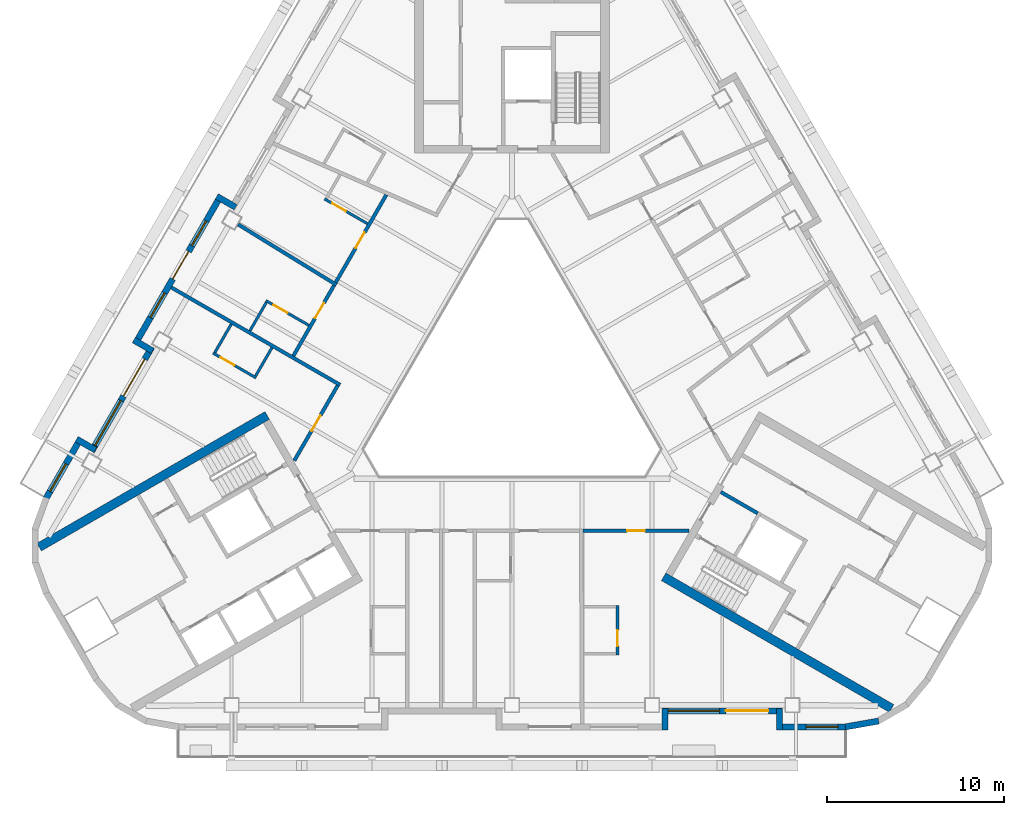
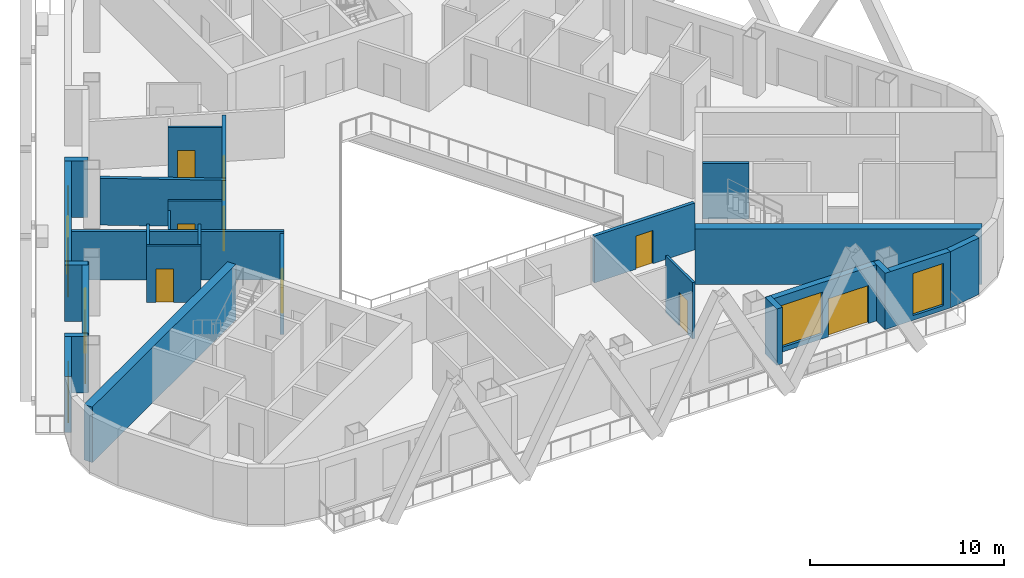
# One storey, part 4 of 14: 27 walls, 11 doors, 6 windows, 17 openings.
"""IFC4 building model written with IfcOpenShell, lengths in metres."""

from ifc_helpers import new_model, si_unit, direction, frame, frame_2d, origin, place, context, subcontext, project, spatial, rectangle, extrude, material, layer, layer_set, type_object, element, fill, save


model = new_model("IFC4")

# Units and contexts
model_context = context("Model", 3, precision=1e-05, world=origin(), true_north=direction((0.0, 1.0)))
body_context = subcontext(model_context, "Body", "Model", "MODEL_VIEW")
ifc_project = project(units=[si_unit("LENGTHUNIT", "METRE"), si_unit("AREAUNIT", "SQUARE_METRE"), si_unit("VOLUMEUNIT", "CUBIC_METRE"), si_unit("PLANEANGLEUNIT", "RADIAN"), si_unit("MASSUNIT", "GRAM", prefix="KILO")], contexts=[model_context])

# Site, building, storey
site_placement = place(None, origin())
site = spatial("IfcSite", under=ifc_project, at=site_placement, CompositionType="ELEMENT")
building_placement = place(site_placement, origin())
building = spatial("IfcBuilding", under=site, at=building_placement, Name="Apuvela Tower Hotel", CompositionType="ELEMENT")
storey_placement = place(building_placement, frame((0.0, 0.0, 176.199951171875)))
storey = spatial("IfcBuildingStorey", under=building, at=storey_placement, Name="L42", CompositionType="ELEMENT", Elevation=176.199951171875)

# Walls
ifc_material_1 = material(Name="Concrete C50/60", Category="concrete")
ifc_layer_1 = layer(ifc_material_1, 0.5)
ifc_layer_set_1 = layer_set([ifc_layer_1], Name="COR-WALL-CORE-500")
wall_type_1 = type_object("IfcWallType", Name="COR-WALL-CORE-500", PredefinedType="SHEAR", material=ifc_layer_set_1)
for number, where, z_axis, x_axis, name in (
    (1, (-13.796630859375, -1.9033203125, 0.0), (0.0, 0.0, 1.0), (-0.866025009528, -0.500000682871, 0.0), "Core wall SW"),
    (2, (8.546630859375, -10.99658203125, 0.0), (0.0, 0.0, 1.0), (0.866025009528, -0.500000682871, 0.0), "Core wall SE"),
):
    element("IfcWall", number, at=place(storey_placement, frame(where, z_axis=z_axis, x_axis=x_axis)), inside=storey, type_object=wall_type_1, Name=name, PredefinedType="SHEAR", context=body_context, shape_type="SweptSolid", body=[
        extrude(rectangle(XDim=14.8369140625, YDim=0.5, at=frame_2d((7.41845703125, 0.0))), origin(), (0.0, 0.0, 1.0), 3.5),
    ])
ifc_layer_2 = layer(ifc_material_1, 0.199951171875)
ifc_layer_set_2 = layer_set([ifc_layer_2], Name="COR-WALL-SHAFT-200")
wall_type_2 = type_object("IfcWallType", Name="COR-WALL-SHAFT-200", PredefinedType="SHEAR", material=ifc_layer_set_2)
wall_1_placement = place(storey_placement, frame((11.76806640625, -6.217041015625, 0.0), z_axis=(0.0, 0.0, 1.0), x_axis=(0.866050077142, -0.499957262057, 0.0)))
element("IfcWall", 3, at=wall_1_placement, inside=storey, type_object=wall_type_2, Name="Shaft wall SE", PredefinedType="SHEAR", context=body_context, shape_type="SweptSolid", body=[
    extrude(rectangle(XDim=2.400146484375, YDim=0.199951171875, at=frame_2d((1.2001953125, 0.0))), origin(), (0.0, 0.0, 1.0), 3.5),
])
ifc_material_2 = material(Name="Concrete C40/50, dark pigmented precast panel", Category="concrete")
ifc_layer_3 = layer(ifc_material_2, 0.35009765625)
ifc_layer_set_3 = layer_set([ifc_layer_3], Name="ENV-WALL-350")
wall_type_3 = type_object("IfcWallType", Name="ENV-WALL-350", PredefinedType="SOLIDWALL", material=ifc_layer_set_3)
wall_2_placement = place(storey_placement, frame((-15.580810546875, 9.8330078125, 0.0), z_axis=(0.0, 0.0, 1.0), x_axis=(-0.866055662726, 0.499947586314, 0.0)))
element("IfcWall", 4, at=wall_2_placement, inside=storey, type_object=wall_type_3, Name="External wall L42-04", PredefinedType="SOLIDWALL", context=body_context, shape_type="SweptSolid", body=[
    extrude(rectangle(XDim=1.220458984375, YDim=0.35009765625, at=frame_2d((0.6103515625, 0.0))), origin(), (0.0, 0.0, 1.0), 3.550048828125),
])

# Wall, openings, door, windows
wall_3_placement = place(storey_placement, frame((-16.3984375, 10.507080078125, 0.0), z_axis=(0.0, 0.0, 1.0), x_axis=(-0.499999142773, -0.866025898704, 0.0)))
wall_3 = element("IfcWall", 5, at=wall_3_placement, inside=storey, type_object=wall_type_3, Name="External wall L42-05", PredefinedType="SOLIDWALL", context=body_context, shape_type="SweptSolid", body=[
    extrude(rectangle(XDim=9.7001953125, YDim=0.35009765625, at=frame_2d((4.85009765625, 0.0))), origin(), (0.0, 0.0, 1.0), 3.550048828125),
])
opening_1_placement = place(wall_3_placement, frame((3.64990234375, 0.0, 0.0)))
opening_1 = element("IfcOpeningElement", 6, at=opening_1_placement, cuts=wall_3, Name="Opening BD18", PredefinedType="OPENING", context=body_context, shape_type="SweptSolid", body=[
    extrude(rectangle(XDim=1.800048828125, YDim=2.39990234375, at=frame_2d((0.89990234375, 1.199951171875))), frame((0.0, 0.18505859375, 0.0), z_axis=(0.0, -1.0, 0.0), x_axis=(1.0, 0.0, 0.0)), (0.0, 0.0, 1.0), 0.3701171875),
])
opening_2_placement = place(wall_3_placement, frame((1.67529296875, 0.0, 0.300048828125)))
opening_2 = element("IfcOpeningElement", 7, at=opening_2_placement, cuts=wall_3, Name="Opening WN16", PredefinedType="OPENING", context=body_context, shape_type="SweptSolid", body=[
    extrude(rectangle(XDim=1.60009765625, YDim=2.64990234375, at=frame_2d((0.800048828125, 1.324951171875))), frame((0.0, 0.18505859375, 0.0), z_axis=(0.0, -1.0, 0.0), x_axis=(1.0, 0.0, 0.0)), (0.0, 0.0, 1.0), 0.3701171875),
])
opening_3_placement = place(wall_3_placement, frame((6.349853515625, 0.0, 0.300048828125)))
opening_3 = element("IfcOpeningElement", 8, at=opening_3_placement, cuts=wall_3, Name="Opening WN16", PredefinedType="OPENING", context=body_context, shape_type="SweptSolid", body=[
    extrude(rectangle(XDim=1.60009765625, YDim=2.64990234375, at=frame_2d((0.800048828125, 1.324951171875))), frame((0.0, 0.18505859375, 0.0), z_axis=(0.0, -1.0, 0.0), x_axis=(1.0, 0.0, 0.0)), (0.0, 0.0, 1.0), 0.3701171875),
])
ifc_material_3 = material(Name="Aluminium 6063-T6, dark bronze anodised frame with dark tinted laminated glass", Category="aluminium")
door_type_1 = type_object("IfcDoorType", Name="ENV-DOOR-BALCONY-1800x2400", OperationType="SLIDING_TO_LEFT", PredefinedType="DOOR", material=ifc_material_3)
door_1_placement = place(opening_1_placement, frame((1.800048828125, 0.0, 0.0), z_axis=(0.0, 0.0, 1.0), x_axis=(-1.0, 0.0, 0.0)))
door_1 = element("IfcDoor", 9, at=door_1_placement, inside=storey, type_object=door_type_1, Name="Balcony door BD18", OperationType="SLIDING_TO_LEFT", OverallHeight=2.39990234375, OverallWidth=1.800048828125, PredefinedType="DOOR", context=body_context, shape_type="SweptSolid", body=[
    extrude(rectangle(XDim=1.800048828125, YDim=2.39990234375, at=frame_2d((0.89990234375, 1.199951171875))), frame((0.0, 0.02490234375, 0.0), z_axis=(0.0, -1.0, 0.0), x_axis=(1.0, 0.0, 0.0)), (0.0, 0.0, 1.0), 0.050048828125),
])
fill(opening_1, door_1)
ifc_material_4 = material(Name="Glass, dark tinted laminated insulated glazing unit", Category="glass")
window_type_1 = type_object("IfcWindowType", Name="ENV-WIN-1600x2650", PartitioningType="SINGLE_PANEL", PredefinedType="WINDOW", material=ifc_material_4)
window_1_placement = place(opening_2_placement, origin())
window_1 = element("IfcWindow", 10, at=window_1_placement, inside=storey, type_object=window_type_1, Name="Window WN16", OverallHeight=2.64990234375, OverallWidth=1.60009765625, PartitioningType="SINGLE_PANEL", PredefinedType="WINDOW", context=body_context, shape_type="SweptSolid", body=[
    extrude(rectangle(XDim=1.60009765625, YDim=2.64990234375, at=frame_2d((0.800048828125, 1.324951171875))), frame((0.0, 0.030029296875, 0.0), z_axis=(0.0, -1.0, 0.0), x_axis=(1.0, 0.0, 0.0)), (0.0, 0.0, 1.0), 0.06005859375),
])
fill(opening_2, window_1)
window_2_placement = place(opening_3_placement, origin())
window_2 = element("IfcWindow", 11, at=window_2_placement, inside=storey, type_object=window_type_1, Name="Window WN16", OverallHeight=2.64990234375, OverallWidth=1.60009765625, PartitioningType="SINGLE_PANEL", PredefinedType="WINDOW", context=body_context, shape_type="SweptSolid", body=[
    extrude(rectangle(XDim=1.60009765625, YDim=2.64990234375, at=frame_2d((0.800048828125, 1.324951171875))), frame((0.0, 0.030029296875, 0.0), z_axis=(0.0, -1.0, 0.0), x_axis=(1.0, 0.0, 0.0)), (0.0, 0.0, 1.0), 0.06005859375),
])
fill(opening_3, window_2)

# Wall
wall_4_placement = place(storey_placement, frame((-21.3125, 2.345703125, 0.0), z_axis=(0.0, 0.0, 1.0), x_axis=(0.866005645448, -0.500034220881, 0.0)))
element("IfcWall", 12, at=wall_4_placement, inside=storey, type_object=wall_type_3, Name="External wall L42-06", PredefinedType="SOLIDWALL", context=body_context, shape_type="SweptSolid", body=[
    extrude(rectangle(XDim=1.22021484375, YDim=0.35009765625, at=frame_2d((0.610107421875, 0.0))), origin(), (0.0, 0.0, 1.0), 3.550048828125),
])

# Wall, openings, door, window
wall_5_placement = place(storey_placement, frame((-20.30908203125, 1.93359375, 0.0), z_axis=(0.0, 0.0, 1.0), x_axis=(-0.499992114976, -0.866029956157, 0.0)))
wall_5 = element("IfcWall", 13, at=wall_5_placement, inside=storey, type_object=wall_type_3, Name="External wall L42-07", PredefinedType="SOLIDWALL", context=body_context, shape_type="SweptSolid", body=[
    extrude(rectangle(XDim=6.73974609375, YDim=0.35009765625, at=frame_2d((3.369873046875, 0.0))), origin(), (0.0, 0.0, 1.0), 3.550048828125),
])
opening_4_placement = place(wall_5_placement, frame((0.77001953125, 0.0, 0.0)))
opening_4 = element("IfcOpeningElement", 14, at=opening_4_placement, cuts=wall_5, Name="Opening BD24", PredefinedType="OPENING", context=body_context, shape_type="SweptSolid", body=[
    extrude(rectangle(XDim=2.39990234375, YDim=2.39990234375, at=frame_2d((1.199951171875, 1.199951171875))), frame((0.0, 0.18505859375, 0.0), z_axis=(0.0, -1.0, 0.0), x_axis=(1.0, 0.0, 0.0)), (0.0, 0.0, 1.0), 0.3701171875),
])
opening_5_placement = place(wall_5_placement, frame((3.47021484375, 0.0, 0.300048828125)))
opening_5 = element("IfcOpeningElement", 15, at=opening_5_placement, cuts=wall_5, Name="Opening WN29", PredefinedType="OPENING", context=body_context, shape_type="SweptSolid", body=[
    extrude(rectangle(XDim=2.89990234375, YDim=2.64990234375, at=frame_2d((1.449951171875, 1.324951171875))), frame((0.0, 0.18505859375, 0.0), z_axis=(0.0, -1.0, 0.0), x_axis=(1.0, 0.0, 0.0)), (0.0, 0.0, 1.0), 0.3701171875),
])
door_type_2 = type_object("IfcDoorType", Name="ENV-DOOR-BALCONY-2400x2400", OperationType="SLIDING_TO_LEFT", PredefinedType="DOOR", material=ifc_material_3)
door_2_placement = place(opening_4_placement, frame((2.39990234375, 0.0, 0.0), z_axis=(0.0, 0.0, 1.0), x_axis=(-1.0, 0.0, 0.0)))
door_2 = element("IfcDoor", 16, at=door_2_placement, inside=storey, type_object=door_type_2, Name="Balcony door BD24", OperationType="SLIDING_TO_LEFT", OverallHeight=2.39990234375, OverallWidth=2.39990234375, PredefinedType="DOOR", context=body_context, shape_type="SweptSolid", body=[
    extrude(rectangle(XDim=2.39990234375, YDim=2.39990234375, at=frame_2d((1.199951171875, 1.199951171875))), frame((0.0, 0.02490234375, 0.0), z_axis=(0.0, -1.0, 0.0), x_axis=(1.0, 0.0, 0.0)), (0.0, 0.0, 1.0), 0.050048828125),
])
fill(opening_4, door_2)
window_type_2 = type_object("IfcWindowType", Name="ENV-WIN-2900x2650", PartitioningType="SINGLE_PANEL", PredefinedType="WINDOW", material=ifc_material_4)
window_3_placement = place(opening_5_placement, origin())
window_3 = element("IfcWindow", 17, at=window_3_placement, inside=storey, type_object=window_type_2, Name="Window WN29", OverallHeight=2.64990234375, OverallWidth=2.89990234375, PartitioningType="SINGLE_PANEL", PredefinedType="WINDOW", context=body_context, shape_type="SweptSolid", body=[
    extrude(rectangle(XDim=2.89990234375, YDim=2.64990234375, at=frame_2d((1.449951171875, 1.324951171875))), frame((0.0, 0.030029296875, 0.0), z_axis=(0.0, -1.0, 0.0), x_axis=(1.0, 0.0, 0.0)), (0.0, 0.0, 1.0), 0.06005859375),
])
fill(opening_5, window_3)

# Wall
wall_6_placement = place(storey_placement, frame((-23.48095703125, -3.85009765625, 0.0), z_axis=(0.0, 0.0, 1.0), x_axis=(-0.866092288191, 0.499884134912, 0.0)))
element("IfcWall", 18, at=wall_6_placement, inside=storey, type_object=wall_type_3, Name="External wall L42-08", PredefinedType="SOLIDWALL", context=body_context, shape_type="SweptSolid", body=[
    extrude(rectangle(XDim=1.219970703125, YDim=0.35009765625, at=frame_2d((0.60986328125, 0.0))), origin(), (0.0, 0.0, 1.0), 3.550048828125),
])

# Wall, opening, window
wall_7_placement = place(storey_placement, frame((-24.298583984375, -3.17626953125, 0.0), z_axis=(0.0, 0.0, 1.0), x_axis=(-0.500028278809, -0.866009076391, 0.0)))
wall_7 = element("IfcWall", 19, at=wall_7_placement, inside=storey, type_object=wall_type_3, Name="External wall L42-09", PredefinedType="SOLIDWALL", context=body_context, shape_type="SweptSolid", body=[
    extrude(rectangle(XDim=3.915771484375, YDim=0.35009765625, at=frame_2d((1.9580078125, 0.0))), origin(), (0.0, 0.0, 1.0), 3.550048828125),
])
opening_6_placement = place(wall_7_placement, frame((1.675048828125, 0.0, 0.300048828125)))
opening_6 = element("IfcOpeningElement", 20, at=opening_6_placement, cuts=wall_7, Name="Opening WN18", PredefinedType="OPENING", context=body_context, shape_type="SweptSolid", body=[
    extrude(rectangle(XDim=1.800048828125, YDim=2.64990234375, at=frame_2d((0.89990234375, 1.324951171875))), frame((0.0, 0.18505859375, 0.0), z_axis=(0.0, -1.0, 0.0), x_axis=(1.0, 0.0, 0.0)), (0.0, 0.0, 1.0), 0.3701171875),
])
window_type_3 = type_object("IfcWindowType", Name="ENV-WIN-1800x2650", PartitioningType="SINGLE_PANEL", PredefinedType="WINDOW", material=ifc_material_4)
window_4_placement = place(opening_6_placement, origin())
window_4 = element("IfcWindow", 21, at=window_4_placement, inside=storey, type_object=window_type_3, Name="Window WN18", OverallHeight=2.64990234375, OverallWidth=1.800048828125, PartitioningType="SINGLE_PANEL", PredefinedType="WINDOW", context=body_context, shape_type="SweptSolid", body=[
    extrude(rectangle(XDim=1.800048828125, YDim=2.64990234375, at=frame_2d((0.89990234375, 1.324951171875))), frame((0.0, 0.030029296875, 0.0), z_axis=(0.0, -1.0, 0.0), x_axis=(1.0, 0.0, 0.0)), (0.0, 0.0, 1.0), 0.06005859375),
])
fill(opening_6, window_4)

# Wall
wall_8_placement = place(storey_placement, frame((8.625, -19.6298828125, 0.0), z_axis=(0.0, 0.0, 1.0), x_axis=(0.0, 1.0, 0.0)))
element("IfcWall", 22, at=wall_8_placement, inside=storey, type_object=wall_type_3, Name="External wall L42-22", PredefinedType="SOLIDWALL", context=body_context, shape_type="SweptSolid", body=[
    extrude(rectangle(XDim=1.219970703125, YDim=0.35009765625, at=frame_2d((0.60986328125, 0.0))), origin(), (0.0, 0.0, 1.0), 3.550048828125),
])

# Wall, openings, door, window
wall_9_placement = place(storey_placement, frame((8.47998046875, -18.554931640625, 0.0), z_axis=(0.0, 0.0, 1.0), x_axis=(1.0, 0.0, 0.0)))
wall_9 = element("IfcWall", 23, at=wall_9_placement, inside=storey, type_object=wall_type_3, Name="External wall L42-23", PredefinedType="SOLIDWALL", context=body_context, shape_type="SweptSolid", body=[
    extrude(rectangle(XDim=6.739990234375, YDim=0.35009765625, at=frame_2d((3.3701171875, 0.0))), origin(), (0.0, 0.0, 1.0), 3.550048828125),
])
opening_7_placement = place(wall_9_placement, frame((3.570068359375, 0.0, 0.0)))
opening_7 = element("IfcOpeningElement", 24, at=opening_7_placement, cuts=wall_9, Name="Opening BD24", PredefinedType="OPENING", context=body_context, shape_type="SweptSolid", body=[
    extrude(rectangle(XDim=2.39990234375, YDim=2.39990234375, at=frame_2d((1.199951171875, 1.199951171875))), frame((0.0, 0.18505859375, 0.0), z_axis=(0.0, -1.0, 0.0), x_axis=(1.0, 0.0, 0.0)), (0.0, 0.0, 1.0), 0.3701171875),
])
opening_8_placement = place(wall_9_placement, frame((0.3203125, 0.0, 0.300048828125)))
opening_8 = element("IfcOpeningElement", 25, at=opening_8_placement, cuts=wall_9, Name="Opening WN29", PredefinedType="OPENING", context=body_context, shape_type="SweptSolid", body=[
    extrude(rectangle(XDim=2.89990234375, YDim=2.64990234375, at=frame_2d((1.449951171875, 1.324951171875))), frame((0.0, 0.18505859375, 0.0), z_axis=(0.0, -1.0, 0.0), x_axis=(1.0, 0.0, 0.0)), (0.0, 0.0, 1.0), 0.3701171875),
])
door_3_placement = place(opening_7_placement, frame((2.39990234375, 0.0, 0.0), z_axis=(0.0, 0.0, 1.0), x_axis=(-1.0, 0.0, 0.0)))
door_3 = element("IfcDoor", 26, at=door_3_placement, inside=storey, type_object=door_type_2, Name="Balcony door BD24", OperationType="SLIDING_TO_LEFT", OverallHeight=2.39990234375, OverallWidth=2.39990234375, PredefinedType="DOOR", context=body_context, shape_type="SweptSolid", body=[
    extrude(rectangle(XDim=2.39990234375, YDim=2.39990234375, at=frame_2d((1.199951171875, 1.199951171875))), frame((0.0, 0.02490234375, 0.0), z_axis=(0.0, -1.0, 0.0), x_axis=(1.0, 0.0, 0.0)), (0.0, 0.0, 1.0), 0.050048828125),
])
fill(opening_7, door_3)
window_5_placement = place(opening_8_placement, origin())
window_5 = element("IfcWindow", 27, at=window_5_placement, inside=storey, type_object=window_type_2, Name="Window WN29", OverallHeight=2.64990234375, OverallWidth=2.89990234375, PartitioningType="SINGLE_PANEL", PredefinedType="WINDOW", context=body_context, shape_type="SweptSolid", body=[
    extrude(rectangle(XDim=2.89990234375, YDim=2.64990234375, at=frame_2d((1.449951171875, 1.324951171875))), frame((0.0, 0.030029296875, 0.0), z_axis=(0.0, -1.0, 0.0), x_axis=(1.0, 0.0, 0.0)), (0.0, 0.0, 1.0), 0.06005859375),
])
fill(opening_8, window_5)

# Wall
wall_10_placement = place(storey_placement, frame((15.074951171875, -18.409912109375, 0.0), z_axis=(0.0, 0.0, 1.0), x_axis=(0.0, -1.0, 0.0)))
element("IfcWall", 28, at=wall_10_placement, inside=storey, type_object=wall_type_3, Name="External wall L42-24", PredefinedType="SOLIDWALL", context=body_context, shape_type="SweptSolid", body=[
    extrude(rectangle(XDim=1.219970703125, YDim=0.35009765625, at=frame_2d((0.60986328125, 0.0))), origin(), (0.0, 0.0, 1.0), 3.550048828125),
])

# Wall, opening, window
wall_11_placement = place(storey_placement, frame((14.89990234375, -19.455078125, 0.0), z_axis=(0.0, 0.0, 1.0), x_axis=(1.0, 0.0, 0.0)))
wall_11 = element("IfcWall", 29, at=wall_11_placement, inside=storey, type_object=wall_type_3, Name="External wall L42-25", PredefinedType="SOLIDWALL", context=body_context, shape_type="SweptSolid", body=[
    extrude(rectangle(XDim=3.916015625, YDim=0.35009765625, at=frame_2d((1.9580078125, 0.0))), origin(), (0.0, 0.0, 1.0), 3.550048828125),
])
opening_9_placement = place(wall_11_placement, frame((1.674560546875, 0.0, 0.300048828125)))
opening_9 = element("IfcOpeningElement", 30, at=opening_9_placement, cuts=wall_11, Name="Opening WN18", PredefinedType="OPENING", context=body_context, shape_type="SweptSolid", body=[
    extrude(rectangle(XDim=1.800048828125, YDim=2.64990234375, at=frame_2d((0.89990234375, 1.324951171875))), frame((0.0, 0.18505859375, 0.0), z_axis=(0.0, -1.0, 0.0), x_axis=(1.0, 0.0, 0.0)), (0.0, 0.0, 1.0), 0.3701171875),
])
window_6_placement = place(opening_9_placement, origin())
window_6 = element("IfcWindow", 31, at=window_6_placement, inside=storey, type_object=window_type_3, Name="Window WN18", OverallHeight=2.64990234375, OverallWidth=1.800048828125, PartitioningType="SINGLE_PANEL", PredefinedType="WINDOW", context=body_context, shape_type="SweptSolid", body=[
    extrude(rectangle(XDim=1.800048828125, YDim=2.64990234375, at=frame_2d((0.89990234375, 1.324951171875))), frame((0.0, 0.030029296875, 0.0), z_axis=(0.0, -1.0, 0.0), x_axis=(1.0, 0.0, 0.0)), (0.0, 0.0, 1.0), 0.06005859375),
])
fill(opening_9, window_6)

# Walls
wall_12_placement = place(storey_placement, frame((18.785400390625, -19.457763671875, 0.0), z_axis=(0.0, 0.0, 1.0), x_axis=(0.984798995425, 0.173697837091, 0.0)))
element("IfcWall", 32, at=wall_12_placement, inside=storey, type_object=wall_type_3, Name="External wall L42-26", PredefinedType="SOLIDWALL", context=body_context, shape_type="SweptSolid", body=[
    extrude(rectangle(XDim=1.91015625, YDim=0.35009765625, at=frame_2d((0.955078125, 0.0))), origin(), (0.0, 0.0, 1.0), 3.550048828125),
])
ifc_material_5 = material(Name="Gypsum board partition on twin steel stud", Category="steel")
ifc_layer_4 = layer(ifc_material_5, 0.199951171875)
ifc_layer_set_4 = layer_set([ifc_layer_4], Name="GST-PW1")
wall_type_4 = type_object("IfcWallType", Name="GST-PW1", PredefinedType="PARTITIONING", material=ifc_layer_set_4)
wall_13_placement = place(storey_placement, frame((-15.440185546875, 8.866943359375, 0.0), z_axis=(0.0, 0.0, 1.0), x_axis=(0.851787104886, -0.523888087237, 0.0)))
element("IfcWall", 33, at=wall_13_placement, inside=storey, type_object=wall_type_4, Name="L42 partition 08", PredefinedType="PARTITIONING", context=body_context, shape_type="SweptSolid", body=[
    extrude(rectangle(XDim=6.507568359375, YDim=0.199951171875, at=frame_2d((3.25390625, 0.0))), origin(), (0.0, 0.0, 1.0), 2.949951171875),
])
wall_14_placement = place(storey_placement, frame((-19.197021484375, 5.309814453125, 0.0), z_axis=(0.0, 0.0, 1.0), x_axis=(0.866027479907, -0.499996404033, 0.0)))
element("IfcWall", 34, at=wall_14_placement, inside=storey, type_object=wall_type_4, Name="L42 partition 09", PredefinedType="PARTITIONING", context=body_context, shape_type="SweptSolid", body=[
    extrude(rectangle(XDim=10.97998046875, YDim=0.199951171875, at=frame_2d((5.489990234375, 0.0))), origin(), (0.0, 0.0, 1.0), 3.06005859375),
])

# Wall, opening, door
ifc_material_6 = material(Name="Gypsum board corridor wall on twin steel stud, acoustic", Category="steel")
ifc_layer_5 = layer(ifc_material_6, 0.199951171875)
ifc_layer_set_5 = layer_set([ifc_layer_5], Name="GST-PW2")
wall_type_5 = type_object("IfcWallType", Name="GST-PW2", PredefinedType="PARTITIONING", material=ifc_layer_set_5)
wall_15_placement = place(storey_placement, frame((9.98828125, -8.39990234375, 0.0), z_axis=(0.0, 0.0, 1.0), x_axis=(-1.0, 0.0, 0.0)))
wall_15 = element("IfcWall", 35, at=wall_15_placement, inside=storey, type_object=wall_type_5, Name="L42 partition 20", PredefinedType="PARTITIONING", context=body_context, shape_type="SweptSolid", body=[
    extrude(rectangle(XDim=5.98876953125, YDim=0.199951171875, at=frame_2d((2.994384765625, 0.0))), origin(), (0.0, 0.0, 1.0), 2.949951171875),
])
opening_10_placement = place(wall_15_placement, frame((2.494384765625, 0.0, 0.0)))
opening_10 = element("IfcOpeningElement", 36, at=opening_10_placement, cuts=wall_15, Name="Opening GD16-08", PredefinedType="OPENING", context=body_context, shape_type="SweptSolid", body=[
    extrude(rectangle(XDim=1.0, YDim=2.10009765625, at=frame_2d((0.5, 1.050048828125))), frame((0.0, 0.10986328125, 0.0), z_axis=(0.0, -1.0, 0.0), x_axis=(1.0, 0.0, 0.0)), (0.0, 0.0, 1.0), 0.219970703125),
])
ifc_material_7 = material(Name="Timber door leaf in steel frame", Category="steel")
door_type_3 = type_object("IfcDoorType", Name="GST-D1", OperationType="NOTDEFINED", PredefinedType="DOOR", material=ifc_material_7)
door_4_placement = place(opening_10_placement, origin())
door_4 = element("IfcDoor", 37, at=door_4_placement, inside=storey, type_object=door_type_3, Name="Door L42-08", OperationType="SINGLE_SWING_RIGHT", OverallHeight=2.10009765625, OverallWidth=1.0, PredefinedType="DOOR", context=body_context, shape_type="SweptSolid", body=[
    extrude(rectangle(XDim=1.0, YDim=2.10009765625, at=frame_2d((0.5, 1.050048828125))), frame((0.0, 0.02490234375, 0.0), z_axis=(0.0, -1.0, 0.0), x_axis=(1.0, 0.0, 0.0)), (0.0, 0.0, 1.0), 0.050048828125),
])
fill(opening_10, door_4)

wall_16_placement = place(storey_placement, frame((-9.932373046875, 5.5966796875, 0.0), z_axis=(0.0, 0.0, 1.0), x_axis=(0.500006916967, 0.866021410235, 0.0)))
wall_16 = element("IfcWall", 38, at=wall_16_placement, inside=storey, type_object=wall_type_5, Name="L42 partition 42", PredefinedType="PARTITIONING", context=body_context, shape_type="SweptSolid", body=[
    extrude(rectangle(XDim=5.69580078125, YDim=0.199951171875, at=frame_2d((2.847900390625, 0.0))), origin(), (0.0, 0.0, 1.0), 2.949951171875),
])
opening_11_placement = place(wall_16_placement, frame((2.234619140625, 0.0, 0.0)))
opening_11 = element("IfcOpeningElement", 39, at=opening_11_placement, cuts=wall_16, Name="Opening GD16-20", PredefinedType="OPENING", context=body_context, shape_type="SweptSolid", body=[
    extrude(rectangle(XDim=1.0, YDim=2.10009765625, at=frame_2d((0.5, 1.050048828125))), frame((0.0, 0.10986328125, 0.0), z_axis=(0.0, -1.0, 0.0), x_axis=(1.0, 0.0, 0.0)), (0.0, 0.0, 1.0), 0.219970703125),
])
door_5_placement = place(opening_11_placement, origin())
door_5 = element("IfcDoor", 40, at=door_5_placement, inside=storey, type_object=door_type_3, Name="Door L42-20", OperationType="SINGLE_SWING_LEFT", OverallHeight=2.10009765625, OverallWidth=1.0, PredefinedType="DOOR", context=body_context, shape_type="SweptSolid", body=[
    extrude(rectangle(XDim=1.0, YDim=2.10009765625, at=frame_2d((0.5, 1.050048828125))), frame((0.0, 0.02490234375, 0.0), z_axis=(0.0, -1.0, 0.0), x_axis=(1.0, 0.0, 0.0)), (0.0, 0.0, 1.0), 0.050048828125),
])
fill(opening_11, door_5)

wall_17_placement = place(storey_placement, frame((-12.32275390625, 1.45654296875, 0.0), z_axis=(0.0, 0.0, 1.0), x_axis=(0.500008507724, 0.866020491792, 0.0)))
wall_17 = element("IfcWall", 41, at=wall_17_placement, inside=storey, type_object=wall_type_5, Name="L42 partition 45", PredefinedType="PARTITIONING", context=body_context, shape_type="SweptSolid", body=[
    extrude(rectangle(XDim=4.58056640625, YDim=0.199951171875, at=frame_2d((2.290283203125, 0.0))), origin(), (0.0, 0.0, 1.0), 2.949951171875),
])
opening_12_placement = place(wall_17_placement, frame((2.449951171875, 0.0, 0.0)))
opening_12 = element("IfcOpeningElement", 42, at=opening_12_placement, cuts=wall_17, Name="Opening GD16-22", PredefinedType="OPENING", context=body_context, shape_type="SweptSolid", body=[
    extrude(rectangle(XDim=1.0, YDim=2.10009765625, at=frame_2d((0.5, 1.050048828125))), frame((0.0, 0.10986328125, 0.0), z_axis=(0.0, -1.0, 0.0), x_axis=(1.0, 0.0, 0.0)), (0.0, 0.0, 1.0), 0.219970703125),
])
door_6_placement = place(opening_12_placement, origin())
door_6 = element("IfcDoor", 43, at=door_6_placement, inside=storey, type_object=door_type_3, Name="Door L42-22", OperationType="SINGLE_SWING_RIGHT", OverallHeight=2.10009765625, OverallWidth=1.0, PredefinedType="DOOR", context=body_context, shape_type="SweptSolid", body=[
    extrude(rectangle(XDim=1.0, YDim=2.10009765625, at=frame_2d((0.5, 1.050048828125))), frame((0.0, 0.02490234375, 0.0), z_axis=(0.0, -1.0, 0.0), x_axis=(1.0, 0.0, 0.0)), (0.0, 0.0, 1.0), 0.050048828125),
])
fill(opening_12, door_6)

wall_18_placement = place(storey_placement, frame((-12.268798828125, -4.449951171875, 0.0), z_axis=(0.0, 0.0, 1.0), x_axis=(0.500012125002, 0.866018403298, 0.0)))
wall_18 = element("IfcWall", 44, at=wall_18_placement, inside=storey, type_object=wall_type_5, Name="L42 partition 48", PredefinedType="PARTITIONING", context=body_context, shape_type="SweptSolid", body=[
    extrude(rectangle(XDim=4.88818359375, YDim=0.199951171875, at=frame_2d((2.444091796875, 0.0))), origin(), (0.0, 0.0, 1.0), 2.949951171875),
])
opening_13_placement = place(wall_18_placement, frame((1.944091796875, 0.0, 0.0)))
opening_13 = element("IfcOpeningElement", 45, at=opening_13_placement, cuts=wall_18, Name="Opening GD16-24", PredefinedType="OPENING", context=body_context, shape_type="SweptSolid", body=[
    extrude(rectangle(XDim=1.0, YDim=2.10009765625, at=frame_2d((0.5, 1.050048828125))), frame((0.0, 0.10986328125, 0.0), z_axis=(0.0, -1.0, 0.0), x_axis=(1.0, 0.0, 0.0)), (0.0, 0.0, 1.0), 0.219970703125),
])
door_7_placement = place(opening_13_placement, origin())
door_7 = element("IfcDoor", 46, at=door_7_placement, inside=storey, type_object=door_type_3, Name="Door L42-24", OperationType="SINGLE_SWING_RIGHT", OverallHeight=2.10009765625, OverallWidth=1.0, PredefinedType="DOOR", context=body_context, shape_type="SweptSolid", body=[
    extrude(rectangle(XDim=1.0, YDim=2.10009765625, at=frame_2d((0.5, 1.050048828125))), frame((0.0, 0.02490234375, 0.0), z_axis=(0.0, -1.0, 0.0), x_axis=(1.0, 0.0, 0.0)), (0.0, 0.0, 1.0), 0.050048828125),
])
fill(opening_13, door_7)

ifc_material_8 = material(Name="Moisture-resistant gypsum board wet wall on steel stud", Category="steel")
ifc_layer_6 = layer(ifc_material_8, 0.14990234375)
ifc_layer_set_6 = layer_set([ifc_layer_6], Name="GST-PW3")
wall_type_6 = type_object("IfcWallType", Name="GST-PW3", PredefinedType="PARTITIONING", material=ifc_layer_set_6)
wall_19_placement = place(storey_placement, frame((5.944091796875, -15.39990234375, 0.0), z_axis=(0.0, 0.0, 1.0), x_axis=(0.0, 1.0, 0.0)))
wall_19 = element("IfcWall", 47, at=wall_19_placement, inside=storey, type_object=wall_type_6, Name="L42 partition 21", PredefinedType="PARTITIONING", context=body_context, shape_type="SweptSolid", body=[
    extrude(rectangle(XDim=2.7998046875, YDim=0.14990234375, at=frame_2d((1.39990234375, 0.0))), origin(), (0.0, 0.0, 1.0), 3.550048828125),
])
opening_14_placement = place(wall_19_placement, frame((0.5, 0.0, 0.0)))
opening_14 = element("IfcOpeningElement", 48, at=opening_14_placement, cuts=wall_19, Name="Opening GD16-07", PredefinedType="OPENING", context=body_context, shape_type="SweptSolid", body=[
    extrude(rectangle(XDim=0.89990234375, YDim=2.10009765625, at=frame_2d((0.449951171875, 1.050048828125))), frame((0.0, 0.0849609375, 0.0), z_axis=(0.0, -1.0, 0.0), x_axis=(1.0, 0.0, 0.0)), (0.0, 0.0, 1.0), 0.169921875),
])
door_type_4 = type_object("IfcDoorType", Name="GST-D2", OperationType="NOTDEFINED", PredefinedType="DOOR", material=ifc_material_7)
door_8_placement = place(opening_14_placement, origin())
door_8 = element("IfcDoor", 49, at=door_8_placement, inside=storey, type_object=door_type_4, Name="Door L42-07", OperationType="SINGLE_SWING_LEFT", OverallHeight=2.10009765625, OverallWidth=0.89990234375, PredefinedType="DOOR", context=body_context, shape_type="SweptSolid", body=[
    extrude(rectangle(XDim=0.89990234375, YDim=2.10009765625, at=frame_2d((0.449951171875, 1.050048828125))), frame((0.0, 0.02490234375, 0.0), z_axis=(0.0, -1.0, 0.0), x_axis=(1.0, 0.0, 0.0)), (0.0, 0.0, 1.0), 0.050048828125),
])
fill(opening_14, door_8)

wall_20_placement = place(storey_placement, frame((-10.56396484375, 10.302734375, 0.0), z_axis=(0.0, 0.0, 1.0), x_axis=(0.865996816683, -0.500049511043, 0.0)))
wall_20 = element("IfcWall", 50, at=wall_20_placement, inside=storey, type_object=wall_type_6, Name="L42 partition 43", PredefinedType="PARTITIONING", context=body_context, shape_type="SweptSolid", body=[
    extrude(rectangle(XDim=2.800048828125, YDim=0.14990234375, at=frame_2d((1.39990234375, 0.0))), origin(), (0.0, 0.0, 1.0), 3.550048828125),
])
opening_15_placement = place(wall_20_placement, frame((0.5, 0.0, 0.0)))
opening_15 = element("IfcOpeningElement", 51, at=opening_15_placement, cuts=wall_20, Name="Opening GD16-19", PredefinedType="OPENING", context=body_context, shape_type="SweptSolid", body=[
    extrude(rectangle(XDim=0.89990234375, YDim=2.10009765625, at=frame_2d((0.449951171875, 1.050048828125))), frame((0.0, 0.0849609375, 0.0), z_axis=(0.0, -1.0, 0.0), x_axis=(1.0, 0.0, 0.0)), (0.0, 0.0, 1.0), 0.169921875),
])
door_9_placement = place(opening_15_placement, origin())
door_9 = element("IfcDoor", 52, at=door_9_placement, inside=storey, type_object=door_type_4, Name="Door L42-19", OperationType="SINGLE_SWING_LEFT", OverallHeight=2.10009765625, OverallWidth=0.89990234375, PredefinedType="DOOR", context=body_context, shape_type="SweptSolid", body=[
    extrude(rectangle(XDim=0.89990234375, YDim=2.10009765625, at=frame_2d((0.449951171875, 1.050048828125))), frame((0.0, 0.02490234375, 0.0), z_axis=(0.0, -1.0, 0.0), x_axis=(1.0, 0.0, 0.0)), (0.0, 0.0, 1.0), 0.050048828125),
])
fill(opening_15, door_9)

wall_21_placement = place(storey_placement, frame((-11.44677734375, 3.173583984375, 0.0), z_axis=(0.0, 0.0, 1.0), x_axis=(-0.866034573852, 0.49998411664, 0.0)))
wall_21 = element("IfcWall", 53, at=wall_21_placement, inside=storey, type_object=wall_type_6, Name="L42 partition 46", PredefinedType="PARTITIONING", context=body_context, shape_type="SweptSolid", body=[
    extrude(rectangle(XDim=2.7998046875, YDim=0.14990234375, at=frame_2d((1.39990234375, 0.0))), origin(), (0.0, 0.0, 1.0), 3.550048828125),
])
opening_16_placement = place(wall_21_placement, frame((1.39990234375, 0.0, 0.0)))
opening_16 = element("IfcOpeningElement", 54, at=opening_16_placement, cuts=wall_21, Name="Opening GD16-21", PredefinedType="OPENING", context=body_context, shape_type="SweptSolid", body=[
    extrude(rectangle(XDim=0.89990234375, YDim=2.10009765625, at=frame_2d((0.449951171875, 1.050048828125))), frame((0.0, 0.0849609375, 0.0), z_axis=(0.0, -1.0, 0.0), x_axis=(1.0, 0.0, 0.0)), (0.0, 0.0, 1.0), 0.169921875),
])
door_10_placement = place(opening_16_placement, origin())
door_10 = element("IfcDoor", 55, at=door_10_placement, inside=storey, type_object=door_type_4, Name="Door L42-21", OperationType="SINGLE_SWING_RIGHT", OverallHeight=2.10009765625, OverallWidth=0.89990234375, PredefinedType="DOOR", context=body_context, shape_type="SweptSolid", body=[
    extrude(rectangle(XDim=0.89990234375, YDim=2.10009765625, at=frame_2d((0.449951171875, 1.050048828125))), frame((0.0, 0.02490234375, 0.0), z_axis=(0.0, -1.0, 0.0), x_axis=(1.0, 0.0, 0.0)), (0.0, 0.0, 1.0), 0.050048828125),
])
fill(opening_16, door_10)

# Wall
wall_22_placement = place(storey_placement, frame((-13.84423828125, 4.47119140625, 0.0), z_axis=(0.0, 0.0, 1.0), x_axis=(-0.499985172903, -0.866033964044, 0.0)))
element("IfcWall", 56, at=wall_22_placement, inside=storey, type_object=wall_type_6, Name="L42 partition 47", PredefinedType="PARTITIONING", context=body_context, shape_type="SweptSolid", body=[
    extrude(rectangle(XDim=1.85009765625, YDim=0.14990234375, at=frame_2d((0.925048828125, 0.0))), origin(), (0.0, 0.0, 1.0), 2.949951171875),
])

# Wall, opening, door
wall_23_placement = place(storey_placement, frame((-16.849365234375, 1.6162109375, 0.0), z_axis=(0.0, 0.0, 1.0), x_axis=(0.866056369097, -0.49994636267, 0.0)))
wall_23 = element("IfcWall", 57, at=wall_23_placement, inside=storey, type_object=wall_type_6, Name="L42 partition 49", PredefinedType="PARTITIONING", context=body_context, shape_type="SweptSolid", body=[
    extrude(rectangle(XDim=2.800048828125, YDim=0.14990234375, at=frame_2d((1.39990234375, 0.0))), origin(), (0.0, 0.0, 1.0), 3.550048828125),
])
opening_17_placement = place(wall_23_placement, frame((0.5, 0.0, 0.0)))
opening_17 = element("IfcOpeningElement", 58, at=opening_17_placement, cuts=wall_23, Name="Opening GD16-23", PredefinedType="OPENING", context=body_context, shape_type="SweptSolid", body=[
    extrude(rectangle(XDim=0.89990234375, YDim=2.10009765625, at=frame_2d((0.449951171875, 1.050048828125))), frame((0.0, 0.0849609375, 0.0), z_axis=(0.0, -1.0, 0.0), x_axis=(1.0, 0.0, 0.0)), (0.0, 0.0, 1.0), 0.169921875),
])
door_11_placement = place(opening_17_placement, origin())
door_11 = element("IfcDoor", 59, at=door_11_placement, inside=storey, type_object=door_type_4, Name="Door L42-23", OperationType="SINGLE_SWING_LEFT", OverallHeight=2.10009765625, OverallWidth=0.89990234375, PredefinedType="DOOR", context=body_context, shape_type="SweptSolid", body=[
    extrude(rectangle(XDim=0.89990234375, YDim=2.10009765625, at=frame_2d((0.449951171875, 1.050048828125))), frame((0.0, 0.02490234375, 0.0), z_axis=(0.0, -1.0, 0.0), x_axis=(1.0, 0.0, 0.0)), (0.0, 0.0, 1.0), 0.050048828125),
])
fill(opening_17, door_11)

# Walls
for number, where, z_axis, x_axis, name in (
    (60, (-15.82177734375, 3.245849609375, 0.0), (0.0, 0.0, 1.0), (-0.499985172903, -0.866033964044, 0.0), "L42 partition 50"),
    (61, (-13.52685546875, 1.9208984375, 0.0), (0.0, 0.0, 1.0), (-0.499985172903, -0.866033964044, 0.0), "L42 partition 51"),
):
    element("IfcWall", number, at=place(storey_placement, frame(where, z_axis=z_axis, x_axis=x_axis)), inside=storey, type_object=wall_type_6, Name=name, PredefinedType="PARTITIONING", context=body_context, shape_type="SweptSolid", body=[
        extrude(rectangle(XDim=1.85009765625, YDim=0.14990234375, at=frame_2d((0.925048828125, 0.0))), origin(), (0.0, 0.0, 1.0), 3.550048828125),
    ])

save(model, "model.ifc")
